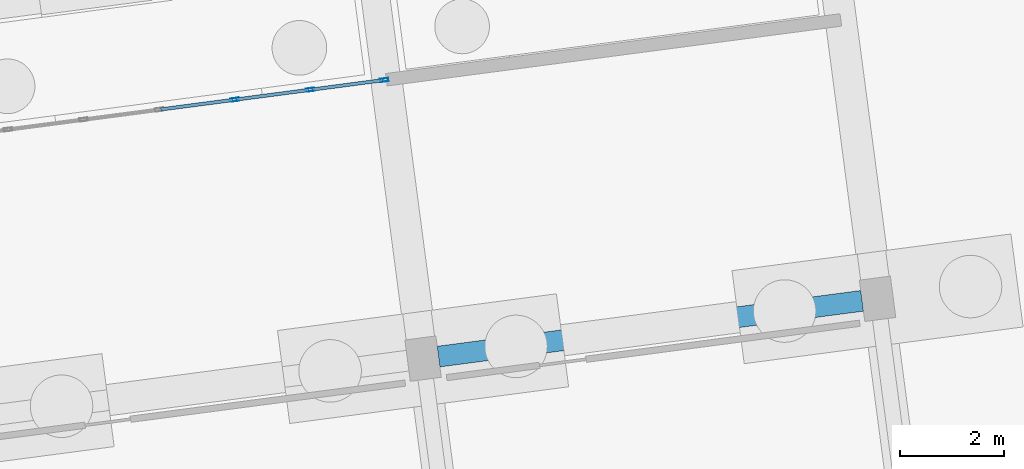
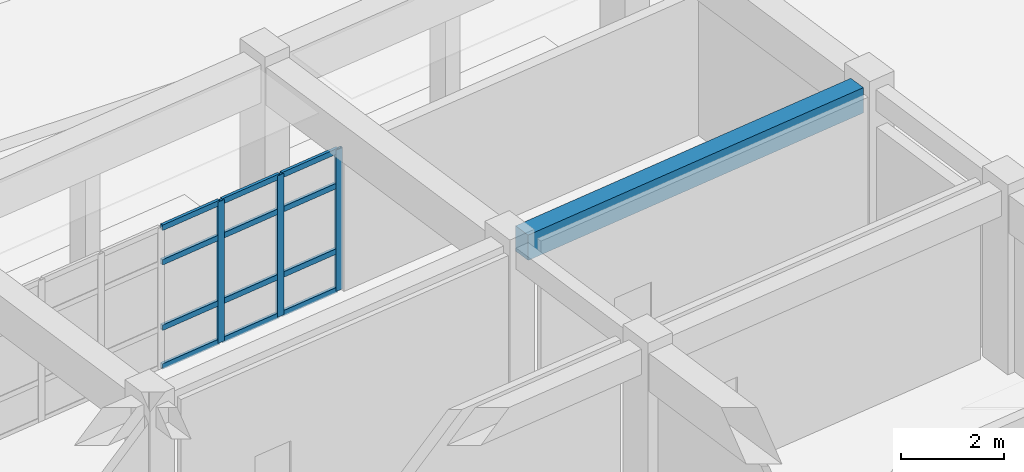
# One storey, part 70 of 154: 15 members, 1 beam, 1 element without a shape of its own.
"""IFC4 building model written with IfcOpenShell, lengths in metres."""

from ifc_helpers import new_model, si_unit, direction, frame, origin, origin_2d, place, context, subcontext, project, spatial, rectangle, hollow_rectangle, extrude, material, material_profile, profile_set, type_object, element, aggregate, save


model = new_model("IFC4")

# Units and contexts
model_context = context("Model", 3, precision=1e-05, world=origin(), true_north=direction((0.0, 1.0)))
body_context = subcontext(model_context, "Body", "Model", "MODEL_VIEW")
ifc_project = project(units=[si_unit("LENGTHUNIT", "METRE"), si_unit("AREAUNIT", "SQUARE_METRE"), si_unit("VOLUMEUNIT", "CUBIC_METRE"), si_unit("PLANEANGLEUNIT", "RADIAN"), si_unit("MASSUNIT", "GRAM", prefix="KILO")], contexts=[model_context])

# Site, building, storey
site_placement = place(None, origin())
site = spatial("IfcSite", under=ifc_project, at=site_placement, CompositionType="ELEMENT")
building_placement = place(site_placement, origin())
building = spatial("IfcBuilding", under=site, at=building_placement, Name="Kestramere Prow Commons", CompositionType="ELEMENT")
storey_placement = place(building_placement, origin())
storey = spatial("IfcBuildingStorey", under=building, at=storey_placement, Name="L00", CompositionType="ELEMENT", Elevation=0.0)

# Beam
ifc_material_1 = material(Name="Precast concrete C40/50", Category="concrete")
ifc_material_profile_1 = material_profile(ifc_material_1, rectangle(XDim=0.39990234375, YDim=0.60009765625, at=origin_2d()), Name="PC-BM 400x600")
ifc_profile_set_1 = profile_set([ifc_material_profile_1], Name="Precast concrete C40/50")
beam_type = type_object("IfcBeamType", Name="BM-A1 PC-BM 400x600", PredefinedType="BEAM", material=ifc_profile_set_1)
beam_placement = place(storey_placement, frame((53.528564453125, 89.8779296875, 3.949951171875), z_axis=(0.991444969909, 0.13052536781, 0.0), x_axis=(-0.13052536781, 0.991444969909, 0.0)))
element("IfcBeam", 1, at=beam_placement, inside=storey, type_object=beam_type, Name="Block A L00 Longitudinal Beam 3-6", PredefinedType="BEAM", context=body_context, shape_type="SweptSolid", body=[
    extrude(rectangle(XDim=0.39990234375, YDim=0.60009765625, at=origin_2d()), origin(), (0.0, 0.0, 1.0), 8.199951171875),
])

# Curtain wall, members
ifc_material_2 = material(Name="Anodised Aluminium and Low-E Glass", Category="aluminium")
curtain_wall_type = type_object("IfcCurtainWallType", Name="CW-01 Glazed Curtain Wall 8780x3350", PredefinedType="USERDEFINED", material=ifc_material_2)
curtain_wall_placement = place(storey_placement, origin())
curtain_wall = element("IfcCurtainWall", 2, at=curtain_wall_placement, inside=storey, type_object=curtain_wall_type, Name="Block A L00 North Courtyard Storefront 5", ObjectType="GLAZED CURTAIN WALL", PredefinedType="USERDEFINED")
ifc_material_3 = material(Name="Anodised Aluminium 6063-T6", Category="aluminium")
ifc_material_profile_2 = material_profile(ifc_material_3, hollow_rectangle(XDim=0.06494140625, YDim=0.159912109375, WallThickness=0.00390625, at=origin_2d()), Name="ALU-MUL 65x160")
ifc_profile_set_2 = profile_set([ifc_material_profile_2], Name="Anodised Aluminium 6063-T6")
member_type_1 = type_object("IfcMemberType", Name="CW-MUL-65x160", PredefinedType="MULLION", material=ifc_profile_set_2)
member_1_placement = place(storey_placement, frame((49.61474609375, 94.809326171875, 0.0), z_axis=(0.0, 0.0, 1.0), x_axis=(-0.130526208849, 0.991444859185, 0.0)))
member_1 = element("IfcMember", 3, at=member_1_placement, type_object=member_type_1, Name="CW-01 mullion 5", PredefinedType="MULLION", context=body_context, shape_type="SweptSolid", body=[
    extrude(hollow_rectangle(XDim=0.06494140625, YDim=0.159912109375, WallThickness=0.00390625, at=origin_2d()), origin(), (0.0, 0.0, 1.0), 3.35009765625),
])
member_2_placement = place(storey_placement, frame((51.065673828125, 95.000244140625, 0.0), z_axis=(0.0, 0.0, 1.0), x_axis=(-0.130526208849, 0.991444859185, 0.0)))
member_2 = element("IfcMember", 4, at=member_2_placement, type_object=member_type_1, Name="CW-01 mullion 6", PredefinedType="MULLION", context=body_context, shape_type="SweptSolid", body=[
    extrude(hollow_rectangle(XDim=0.06494140625, YDim=0.159912109375, WallThickness=0.00390625, at=origin_2d()), origin(), (0.0, 0.0, 1.0), 3.35009765625),
])
member_3_placement = place(storey_placement, frame((52.484130859375, 95.18701171875, 0.0), z_axis=(0.0, 0.0, 1.0), x_axis=(-0.130526208849, 0.991444859185, 0.0)))
member_3 = element("IfcMember", 5, at=member_3_placement, type_object=member_type_1, Name="CW-01 mullion 7", PredefinedType="MULLION", context=body_context, shape_type="SweptSolid", body=[
    extrude(hollow_rectangle(XDim=0.06494140625, YDim=0.159912109375, WallThickness=0.00390625, at=origin_2d()), origin(), (0.0, 0.0, 1.0), 3.35009765625),
])
ifc_material_profile_3 = material_profile(ifc_material_3, hollow_rectangle(XDim=0.06494140625, YDim=0.1298828125, WallThickness=0.00390625, at=origin_2d()), Name="ALU-TRN 65x130")
ifc_profile_set_3 = profile_set([ifc_material_profile_3], Name="Anodised Aluminium 6063-T6")
member_type_2 = type_object("IfcMemberType", Name="CW-TRN-65x130", PredefinedType="USERDEFINED", material=ifc_profile_set_3)
member_4_placement = place(storey_placement, frame((48.1962890625, 94.62255859375, 0.032470703125), z_axis=(0.991456672692, 0.130436444963, 0.0), x_axis=(-0.130436444963, 0.991456672692, 0.0)))
member_4 = element("IfcMember", 6, at=member_4_placement, type_object=member_type_2, Name="CW-01 transom 4.1", ObjectType="TRANSOM", PredefinedType="USERDEFINED", context=body_context, shape_type="SweptSolid", body=[
    extrude(hollow_rectangle(XDim=0.06494140625, YDim=0.1298828125, WallThickness=0.00390625, at=origin_2d()), origin(), (0.0, 0.0, 1.0), 1.398193359375),
])
member_5_placement = place(storey_placement, frame((48.1962890625, 94.62255859375, 0.949951171875), z_axis=(0.991456672692, 0.130436444963, 0.0), x_axis=(-0.130436444963, 0.991456672692, 0.0)))
member_5 = element("IfcMember", 7, at=member_5_placement, type_object=member_type_2, Name="CW-01 transom 4.2", ObjectType="TRANSOM", PredefinedType="USERDEFINED", context=body_context, shape_type="SweptSolid", body=[
    extrude(hollow_rectangle(XDim=0.06494140625, YDim=0.1298828125, WallThickness=0.00390625, at=origin_2d()), origin(), (0.0, 0.0, 1.0), 1.398193359375),
])
member_6_placement = place(storey_placement, frame((48.1962890625, 94.62255859375, 2.5), z_axis=(0.991456672692, 0.130436444963, 0.0), x_axis=(-0.130436444963, 0.991456672692, 0.0)))
member_6 = element("IfcMember", 8, at=member_6_placement, type_object=member_type_2, Name="CW-01 transom 4.3", ObjectType="TRANSOM", PredefinedType="USERDEFINED", context=body_context, shape_type="SweptSolid", body=[
    extrude(hollow_rectangle(XDim=0.06494140625, YDim=0.1298828125, WallThickness=0.00390625, at=origin_2d()), origin(), (0.0, 0.0, 1.0), 1.398193359375),
])
member_7_placement = place(storey_placement, frame((48.1962890625, 94.62255859375, 3.3173828125), z_axis=(0.991456672692, 0.130436444963, 0.0), x_axis=(-0.130436444963, 0.991456672692, 0.0)))
member_7 = element("IfcMember", 9, at=member_7_placement, type_object=member_type_2, Name="CW-01 transom 4.4", ObjectType="TRANSOM", PredefinedType="USERDEFINED", context=body_context, shape_type="SweptSolid", body=[
    extrude(hollow_rectangle(XDim=0.06494140625, YDim=0.1298828125, WallThickness=0.00390625, at=origin_2d()), origin(), (0.0, 0.0, 1.0), 1.398193359375),
])
member_8_placement = place(storey_placement, frame((49.64697265625, 94.8134765625, 0.032470703125), z_axis=(0.991437054742, 0.130585475779, 0.0), x_axis=(-0.130585475779, 0.991437054742, 0.0)))
member_8 = element("IfcMember", 10, at=member_8_placement, type_object=member_type_2, Name="CW-01 transom 5.1", ObjectType="TRANSOM", PredefinedType="USERDEFINED", context=body_context, shape_type="SweptSolid", body=[
    extrude(hollow_rectangle(XDim=0.06494140625, YDim=0.1298828125, WallThickness=0.00390625, at=origin_2d()), origin(), (0.0, 0.0, 1.0), 1.3984375),
])
member_9_placement = place(storey_placement, frame((49.64697265625, 94.8134765625, 0.949951171875), z_axis=(0.991437054742, 0.130585475779, 0.0), x_axis=(-0.130585475779, 0.991437054742, 0.0)))
member_9 = element("IfcMember", 11, at=member_9_placement, type_object=member_type_2, Name="CW-01 transom 5.2", ObjectType="TRANSOM", PredefinedType="USERDEFINED", context=body_context, shape_type="SweptSolid", body=[
    extrude(hollow_rectangle(XDim=0.06494140625, YDim=0.1298828125, WallThickness=0.00390625, at=origin_2d()), origin(), (0.0, 0.0, 1.0), 1.3984375),
])
member_10_placement = place(storey_placement, frame((49.64697265625, 94.8134765625, 2.5), z_axis=(0.991437054742, 0.130585475779, 0.0), x_axis=(-0.130585475779, 0.991437054742, 0.0)))
member_10 = element("IfcMember", 12, at=member_10_placement, type_object=member_type_2, Name="CW-01 transom 5.3", ObjectType="TRANSOM", PredefinedType="USERDEFINED", context=body_context, shape_type="SweptSolid", body=[
    extrude(hollow_rectangle(XDim=0.06494140625, YDim=0.1298828125, WallThickness=0.00390625, at=origin_2d()), origin(), (0.0, 0.0, 1.0), 1.3984375),
])
member_11_placement = place(storey_placement, frame((49.64697265625, 94.8134765625, 3.3173828125), z_axis=(0.991437054742, 0.130585475779, 0.0), x_axis=(-0.130585475779, 0.991437054742, 0.0)))
member_11 = element("IfcMember", 13, at=member_11_placement, type_object=member_type_2, Name="CW-01 transom 5.4", ObjectType="TRANSOM", PredefinedType="USERDEFINED", context=body_context, shape_type="SweptSolid", body=[
    extrude(hollow_rectangle(XDim=0.06494140625, YDim=0.1298828125, WallThickness=0.00390625, at=origin_2d()), origin(), (0.0, 0.0, 1.0), 1.3984375),
])
member_12_placement = place(storey_placement, frame((51.097900390625, 95.00439453125, 0.032470703125), z_axis=(0.991425064871, 0.13067647357, 0.0), x_axis=(-0.13067647357, 0.991425064871, 0.0)))
member_12 = element("IfcMember", 14, at=member_12_placement, type_object=member_type_2, Name="CW-01 transom 6.1", ObjectType="TRANSOM", PredefinedType="USERDEFINED", context=body_context, shape_type="SweptSolid", body=[
    extrude(hollow_rectangle(XDim=0.06494140625, YDim=0.1298828125, WallThickness=0.00390625, at=origin_2d()), origin(), (0.0, 0.0, 1.0), 1.36572265625),
])
member_13_placement = place(storey_placement, frame((51.097900390625, 95.00439453125, 0.949951171875), z_axis=(0.991425064871, 0.13067647357, 0.0), x_axis=(-0.13067647357, 0.991425064871, 0.0)))
member_13 = element("IfcMember", 15, at=member_13_placement, type_object=member_type_2, Name="CW-01 transom 6.2", ObjectType="TRANSOM", PredefinedType="USERDEFINED", context=body_context, shape_type="SweptSolid", body=[
    extrude(hollow_rectangle(XDim=0.06494140625, YDim=0.1298828125, WallThickness=0.00390625, at=origin_2d()), origin(), (0.0, 0.0, 1.0), 1.36572265625),
])
member_14_placement = place(storey_placement, frame((51.097900390625, 95.00439453125, 2.5), z_axis=(0.991425064871, 0.13067647357, 0.0), x_axis=(-0.13067647357, 0.991425064871, 0.0)))
member_14 = element("IfcMember", 16, at=member_14_placement, type_object=member_type_2, Name="CW-01 transom 6.3", ObjectType="TRANSOM", PredefinedType="USERDEFINED", context=body_context, shape_type="SweptSolid", body=[
    extrude(hollow_rectangle(XDim=0.06494140625, YDim=0.1298828125, WallThickness=0.00390625, at=origin_2d()), origin(), (0.0, 0.0, 1.0), 1.36572265625),
])
member_15_placement = place(storey_placement, frame((51.097900390625, 95.00439453125, 3.3173828125), z_axis=(0.991425064871, 0.13067647357, 0.0), x_axis=(-0.13067647357, 0.991425064871, 0.0)))
member_15 = element("IfcMember", 17, at=member_15_placement, type_object=member_type_2, Name="CW-01 transom 6.4", ObjectType="TRANSOM", PredefinedType="USERDEFINED", context=body_context, shape_type="SweptSolid", body=[
    extrude(hollow_rectangle(XDim=0.06494140625, YDim=0.1298828125, WallThickness=0.00390625, at=origin_2d()), origin(), (0.0, 0.0, 1.0), 1.36572265625),
])
aggregate(curtain_wall, [member_1, member_2, member_3, member_4, member_5, member_6, member_7, member_8, member_9, member_10, member_11, member_12, member_13, member_14, member_15])

save(model, "model.ifc")
